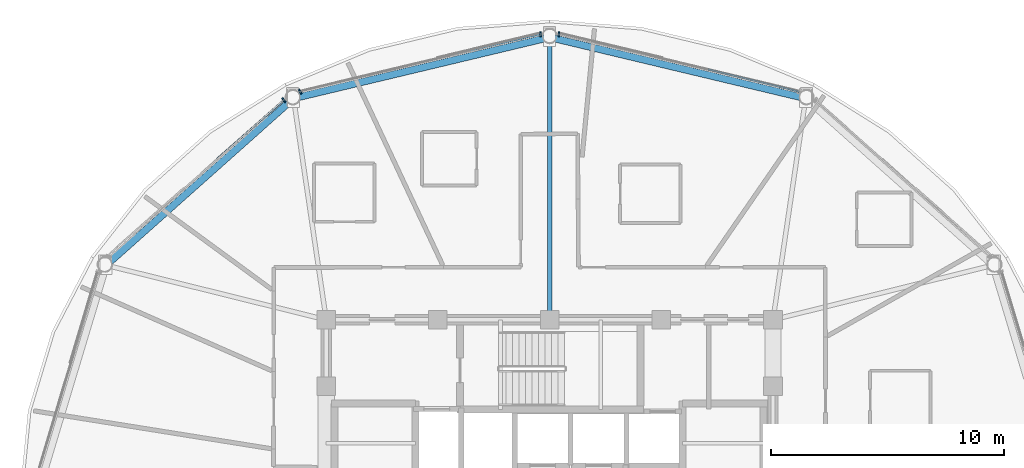
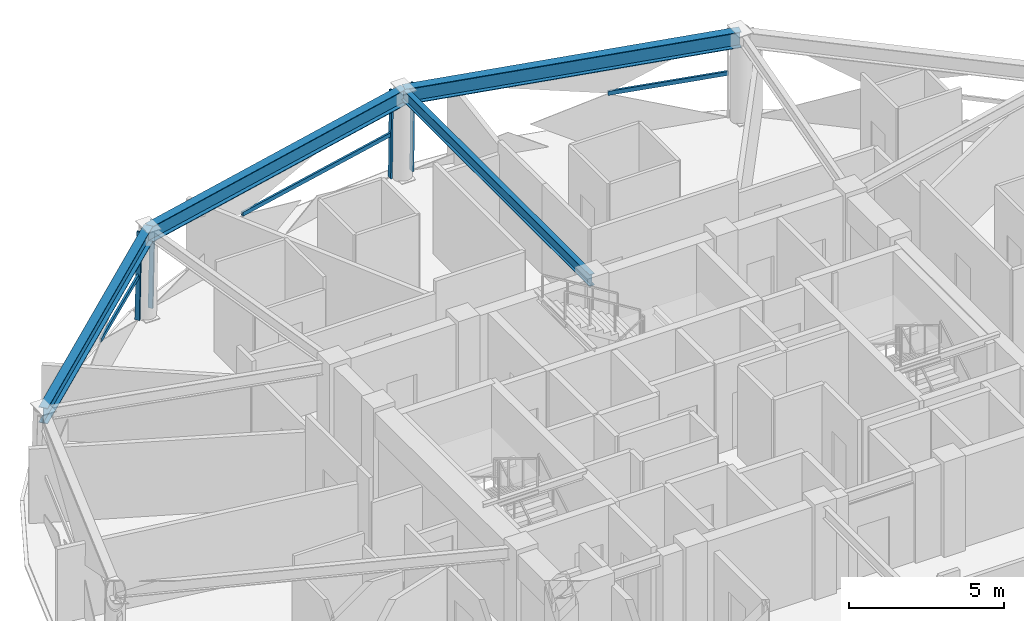
# One storey, part 7 of 18: 7 members, 4 beams, 3 elements without a shape of their own.
"""IFC4 building model written with IfcOpenShell, lengths in metres."""

from ifc_helpers import new_model, si_unit, direction, frame, origin, origin_2d, place, context, subcontext, project, spatial, hollow_rectangle, i_section, extrude, material, layer, layer_set, material_profile, profile_set, type_object, element, aggregate, save


model = new_model("IFC4")

# Units and contexts
model_context = context("Model", 3, precision=1e-05, world=origin(), true_north=direction((0.0, 1.0)))
body_context = subcontext(model_context, "Body", "Model", "MODEL_VIEW")
ifc_project = project(units=[si_unit("LENGTHUNIT", "METRE"), si_unit("AREAUNIT", "SQUARE_METRE"), si_unit("VOLUMEUNIT", "CUBIC_METRE"), si_unit("PLANEANGLEUNIT", "RADIAN"), si_unit("MASSUNIT", "GRAM", prefix="KILO")], contexts=[model_context])

# Site, building, storey
site_placement = place(None, origin())
site = spatial("IfcSite", under=ifc_project, at=site_placement, CompositionType="ELEMENT")
building_placement = place(site_placement, origin())
building = spatial("IfcBuilding", under=site, at=building_placement, Name="Vantalir Tower", CompositionType="ELEMENT")
storey_placement = place(building_placement, frame((0.0, 0.0, 216.14990234375)))
storey = spatial("IfcBuildingStorey", under=building, at=storey_placement, Name="L54", CompositionType="ELEMENT", Elevation=216.14990234375)

# Beams
ifc_material_1 = material(Name="Steel S355", Category="steel")
ifc_material_profile_1 = material_profile(ifc_material_1, i_section(OverallWidth=0.19189453125, OverallDepth=0.462890625, WebThickness=0.010498046875, FlangeThickness=0.017578125, at=origin_2d()), Name="Steel S355")
ifc_profile_set_1 = profile_set([ifc_material_profile_1], Name="Steel S355")
beam_type_1 = type_object("IfcBeamType", Name="BM-RB-457x191", PredefinedType="BEAM", material=ifc_profile_set_1)
beam_1_placement = place(storey_placement, frame((31.5, 44.595947265625, 3.338134765625), z_axis=(0.0, -1.0, 0.0), x_axis=(1.0, 0.0, 0.0)))
element("IfcBeam", 1, at=beam_1_placement, inside=storey, type_object=beam_type_1, Name="L54 Radial Floor Beam 04", PredefinedType="BEAM", context=body_context, shape_type="SweptSolid", body=[
    extrude(i_section(OverallWidth=0.19189453125, OverallDepth=0.462890625, WebThickness=0.010498046875, FlangeThickness=0.017578125, at=origin_2d()), origin(), (0.0, 0.0, 1.0), 12.14599609375),
])
ifc_material_2 = material(Name="Steel S460", Category="steel")
ifc_material_profile_2 = material_profile(ifc_material_2, i_section(OverallWidth=0.306884765625, OverallDepth=0.6201171875, WebThickness=0.01416015625, FlangeThickness=0.023681640625, at=origin_2d()), Name="Steel S460")
ifc_profile_set_2 = profile_set([ifc_material_profile_2], Name="Steel S460")
beam_type_2 = type_object("IfcBeamType", Name="BM-RG-610x305", PredefinedType="USERDEFINED", material=ifc_profile_set_2)
for number, where, z_axis, x_axis, name in (
    (2, (42.506103515625, 41.970947265625, 3.260009765625), (-0.972716546071, 0.231996812479, 0.0), (-0.231996812479, -0.972716546071, 0.0), "L54 Circumferential Ring Girder 03"),
    (3, (31.5, 44.595947265625, 3.260009765625), (-0.972716546071, -0.231996812479, 0.0), (0.231996812479, -0.972716546071, 0.0), "L54 Circumferential Ring Girder 04"),
):
    element("IfcBeam", number, at=place(storey_placement, frame(where, z_axis=z_axis, x_axis=x_axis)), inside=storey, type_object=beam_type_2, Name=name, ObjectType="GIRDER", PredefinedType="USERDEFINED", context=body_context, shape_type="SweptSolid", body=[
        extrude(i_section(OverallWidth=0.306884765625, OverallDepth=0.6201171875, WebThickness=0.01416015625, FlangeThickness=0.023681640625, at=origin_2d()), origin(), (0.0, 0.0, 1.0), 11.314697265625),
    ])
beam_2_placement = place(storey_placement, frame((20.493896484375, 41.970947265625, 3.260009765625), z_axis=(-0.746934658409, -0.664897447782, 0.0), x_axis=(0.664897447782, -0.746934658409, 0.0)))
element("IfcBeam", 4, at=beam_2_placement, inside=storey, type_object=beam_type_2, Name="L54 Circumferential Ring Girder 05", ObjectType="GIRDER", PredefinedType="USERDEFINED", context=body_context, shape_type="SweptSolid", body=[
    extrude(i_section(OverallWidth=0.306884765625, OverallDepth=0.6201171875, WebThickness=0.01416015625, FlangeThickness=0.023681640625, at=origin_2d()), origin(), (0.0, 0.0, 1.0), 10.787841796875),
])

# Curtain wall, member
ifc_material_3 = material(Name="Champagne-silver PVDF aluminium and double-silver Low-E glass", Category="aluminium")
ifc_layer = layer(ifc_material_3, 0.2099609375)
ifc_layer_set = layer_set([ifc_layer], Name="Champagne-silver PVDF aluminium and double-silver Low-E glass")
curtain_wall_type = type_object("IfcCurtainWallType", Name="CW-DIAMOND-Z3", PredefinedType="USERDEFINED", material=ifc_layer_set)
curtain_wall_1_placement = place(storey_placement, origin())
curtain_wall_1 = element("IfcCurtainWall", 5, at=curtain_wall_1_placement, inside=storey, type_object=curtain_wall_type, Name="L54 Quilted Pyramid-Diamond Curtain Wall S03", ObjectType="UNITISED CURTAIN WALL", PredefinedType="USERDEFINED")
ifc_material_4 = material(Name="Champagne-silver PVDF aluminium 6063-T6", Category="aluminium")
ifc_material_profile_3 = material_profile(ifc_material_4, hollow_rectangle(XDim=0.070068359375, YDim=0.1650390625, WallThickness=0.00390625, at=origin_2d()), Name="Champagne-silver PVDF aluminium 6063-T6")
ifc_profile_set_3 = profile_set([ifc_material_profile_3], Name="Champagne-silver PVDF aluminium 6063-T6")
member_type_1 = type_object("IfcMemberType", Name="CWM-165x70", PredefinedType="MULLION", material=ifc_profile_set_3)
member_1_placement = place(storey_placement, frame((31.89892578125, 44.756103515625, 0.045166015625), z_axis=(0.0, -0.018728298785, 0.999824610031), x_axis=(1.0, 0.0, 0.0)))
member_1 = element("IfcMember", 6, at=member_1_placement, type_object=member_type_1, Name="CW-L54-S03 Mullion 2", PredefinedType="MULLION", context=body_context, shape_type="SweptSolid", body=[
    extrude(hollow_rectangle(XDim=0.070068359375, YDim=0.1650390625, WallThickness=0.00390625, at=origin_2d()), origin(), (0.0, 0.0, 1.0), 3.480712890625),
])

# Curtain wall, members
curtain_wall_2_placement = place(storey_placement, origin())
curtain_wall_2 = element("IfcCurtainWall", 7, at=curtain_wall_2_placement, inside=storey, type_object=curtain_wall_type, Name="L54 Quilted Pyramid-Diamond Curtain Wall S04", ObjectType="UNITISED CURTAIN WALL", PredefinedType="USERDEFINED")
member_2_placement = place(storey_placement, frame((31.10107421875, 44.756103515625, 0.045166015625), z_axis=(0.0, -0.018728298785, 0.999824610031), x_axis=(1.0, 0.0, 0.0)))
member_2 = element("IfcMember", 8, at=member_2_placement, type_object=member_type_1, Name="CW-L54-S04 Mullion 1", PredefinedType="MULLION", context=body_context, shape_type="SweptSolid", body=[
    extrude(hollow_rectangle(XDim=0.070068359375, YDim=0.1650390625, WallThickness=0.00390625, at=origin_2d()), origin(), (0.0, 0.0, 1.0), 3.480712890625),
])
member_3_placement = place(storey_placement, frame((20.760986328125, 42.285888671875, 0.045166015625), z_axis=(0.010661691426, -0.016062679846, 0.999814142054), x_axis=(0.833168073273, 0.553019856496, 0.0)))
member_3 = element("IfcMember", 9, at=member_3_placement, type_object=member_type_1, Name="CW-L54-S04 Mullion 2", PredefinedType="MULLION", context=body_context, shape_type="SweptSolid", body=[
    extrude(hollow_rectangle(XDim=0.070068359375, YDim=0.1650390625, WallThickness=0.00390625, at=origin_2d()), origin(), (0.0, 0.0, 1.0), 3.480712890625),
])

# Curtain wall, member
curtain_wall_3_placement = place(storey_placement, origin())
curtain_wall_3 = element("IfcCurtainWall", 10, at=curtain_wall_3_placement, inside=storey, type_object=curtain_wall_type, Name="L54 Quilted Pyramid-Diamond Curtain Wall S05", ObjectType="UNITISED CURTAIN WALL", PredefinedType="USERDEFINED")
member_4_placement = place(storey_placement, frame((20.055908203125, 41.91796875, 0.045166015625), z_axis=(0.010661691426, -0.016062679846, 0.999814142054), x_axis=(0.833168073273, 0.553019856496, 0.0)))
member_4 = element("IfcMember", 11, at=member_4_placement, type_object=member_type_1, Name="CW-L54-S05 Mullion 1", PredefinedType="MULLION", context=body_context, shape_type="SweptSolid", body=[
    extrude(hollow_rectangle(XDim=0.070068359375, YDim=0.1650390625, WallThickness=0.00390625, at=origin_2d()), origin(), (0.0, 0.0, 1.0), 3.480712890625),
])

# Member
ifc_material_profile_4 = material_profile(ifc_material_4, hollow_rectangle(XDim=0.074951171875, YDim=0.159912109375, WallThickness=0.00390625, at=origin_2d()), Name="Champagne-silver PVDF aluminium 6063-T6")
ifc_profile_set_4 = profile_set([ifc_material_profile_4], Name="Champagne-silver PVDF aluminium 6063-T6")
member_type_2 = type_object("IfcMemberType", Name="CWT-160x75", PredefinedType="USERDEFINED", material=ifc_profile_set_4)
member_5_placement = place(storey_placement, frame((42.221923828125, 42.258056640625, 1.78515625), z_axis=(-0.971285886873, 0.237915375632, 0.0), x_axis=(-0.237915375632, -0.971285886873, 0.0)))
member_5 = element("IfcMember", 12, at=member_5_placement, type_object=member_type_2, Name="CW-L54-S03 Pyramid Fold Ridge Transom", ObjectType="TRANSOM", PredefinedType="USERDEFINED", context=body_context, shape_type="SweptSolid", body=[
    extrude(hollow_rectangle(XDim=0.074951171875, YDim=0.159912109375, WallThickness=0.00390625, at=origin_2d()), origin(), (0.0, 0.0, 1.0), 4.03076171875),
])

aggregate(curtain_wall_1, [member_1, member_5])

member_6_placement = place(storey_placement, frame((31.10107421875, 44.722900390625, 1.78515625), z_axis=(-0.973481337035, -0.228766445187, 0.0), x_axis=(0.228766445187, -0.973481337035, 0.0)))
member_6 = element("IfcMember", 13, at=member_6_placement, type_object=member_type_2, Name="CW-L54-S04 Pyramid Fold Ridge Transom", ObjectType="TRANSOM", PredefinedType="USERDEFINED", context=body_context, shape_type="SweptSolid", body=[
    extrude(hollow_rectangle(XDim=0.074951171875, YDim=0.159912109375, WallThickness=0.00390625, at=origin_2d()), origin(), (0.0, 0.0, 1.0), 6.58251953125),
])

aggregate(curtain_wall_2, [member_2, member_3, member_6])

member_7_placement = place(storey_placement, frame((20.073974609375, 41.889892578125, 1.78515625), z_axis=(-0.750679395321, -0.66066666742, 0.0), x_axis=(0.66066666742, -0.750679395321, 0.0)))
member_7 = element("IfcMember", 14, at=member_7_placement, type_object=member_type_2, Name="CW-L54-S05 Pyramid Fold Ridge Transom", ObjectType="TRANSOM", PredefinedType="USERDEFINED", context=body_context, shape_type="SweptSolid", body=[
    extrude(hollow_rectangle(XDim=0.074951171875, YDim=0.159912109375, WallThickness=0.00390625, at=origin_2d()), origin(), (0.0, 0.0, 1.0), 3.83251953125),
])

aggregate(curtain_wall_3, [member_4, member_7])

save(model, "model.ifc")
